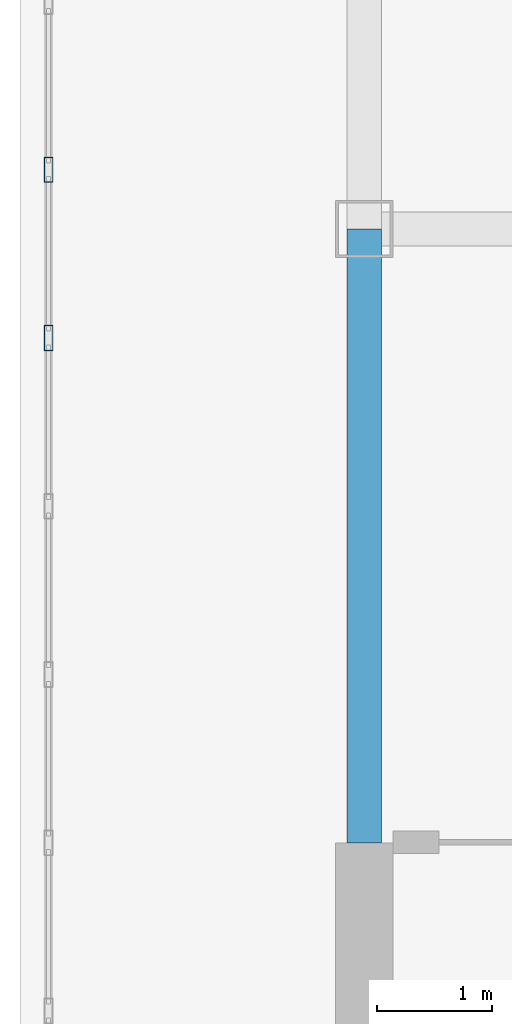
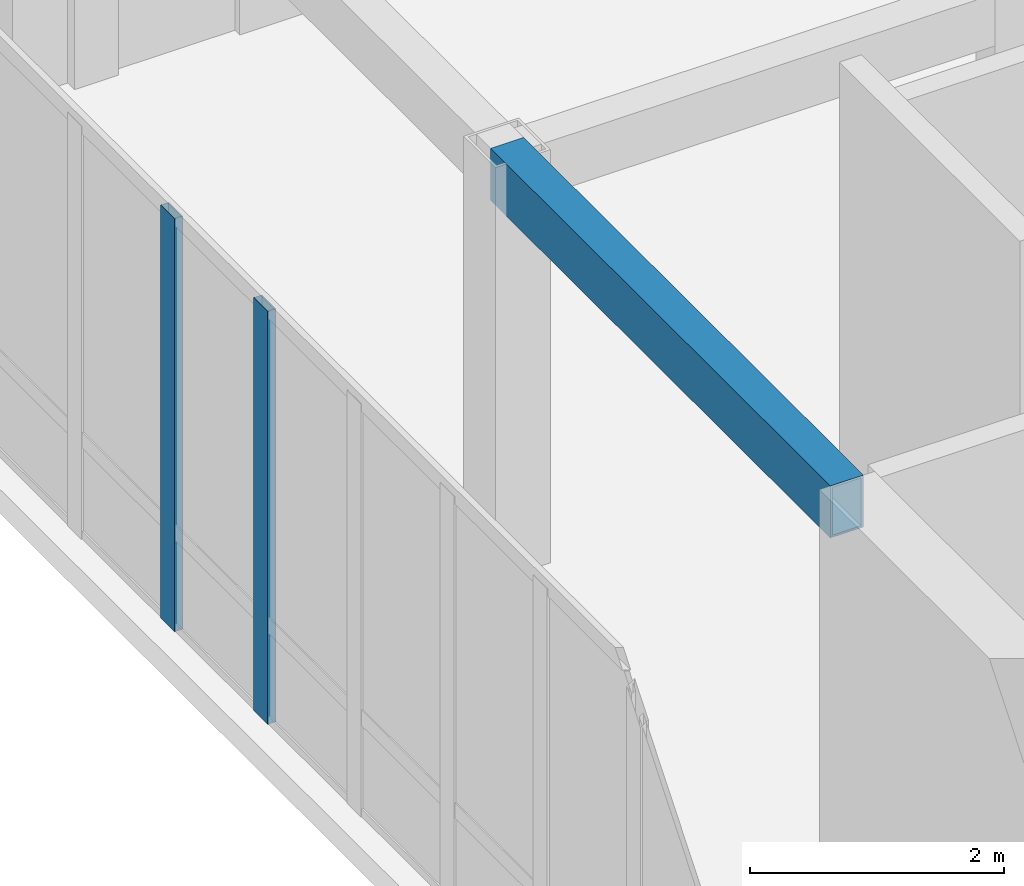
# One storey, part 4 of 13: 2 members, 1 beam, 1 element without a shape of its own.
"""IFC4 building model written with IfcOpenShell, lengths in metres."""

from ifc_helpers import new_model, si_unit, direction, frame, origin, origin_2d, place, context, subcontext, project, spatial, hollow_rectangle, extrude, source, transform, mapped, material, layer, layer_set, material_profile, profile_set, type_object, element, aggregate, save


model = new_model("IFC4")

# Units and contexts
model_context = context("Model", 3, precision=1e-05, world=origin(), true_north=direction((0.0, 1.0)))
body_context = subcontext(model_context, "Body", "Model", "MODEL_VIEW")
ifc_project = project(units=[si_unit("LENGTHUNIT", "METRE"), si_unit("AREAUNIT", "SQUARE_METRE"), si_unit("VOLUMEUNIT", "CUBIC_METRE"), si_unit("PLANEANGLEUNIT", "RADIAN"), si_unit("MASSUNIT", "GRAM", prefix="KILO")], contexts=[model_context])

# Site, building, storey
site_placement = place(None, origin())
site = spatial("IfcSite", under=ifc_project, at=site_placement, CompositionType="ELEMENT")
building_placement = place(site_placement, origin())
building = spatial("IfcBuilding", under=site, at=building_placement, Name="Kharzan Plaza Tower", CompositionType="ELEMENT")
storey_placement = place(building_placement, frame((0.0, 0.0, 277.199951171875)))
storey = spatial("IfcBuildingStorey", under=building, at=storey_placement, Name="L75-CROWN", CompositionType="ELEMENT", Elevation=277.199951171875)

# Beam
ifc_material_1 = material(Name="Steel S355", Category="steel")
ifc_material_profile_1 = material_profile(ifc_material_1, hollow_rectangle(XDim=0.300048828125, YDim=0.5, WallThickness=0.02001953125, at=origin_2d()), Name="RHS500x300x20")
ifc_profile_set_1 = profile_set([ifc_material_profile_1], Name="Steel S355")
beam_type = type_object("IfcBeamType", Name="BM-CRN500", PredefinedType="BEAM", material=ifc_profile_set_1)
shared_shape_1 = source(origin(), body_context, "Body", "SweptSolid", [
    extrude(hollow_rectangle(XDim=0.300048828125, YDim=0.5, WallThickness=0.02001953125, at=origin_2d()), origin(), (0.0, 0.0, 1.0), 5.35009765625),
])
beam_placement = place(storey_placement, frame((4.5, 12.64990234375, 3.719970703125), z_axis=(0.0, 1.0, 0.0), x_axis=(-1.0, 0.0, 0.0)))
element("IfcBeam", 1, at=beam_placement, inside=storey, type_object=beam_type, Name="L75-CROWN CROWN FRAME Lantern Ring Beam CRB-W1", PredefinedType="BEAM", context=body_context, shape_type="MappedRepresentation", body=[
    mapped(shared_shape_1, transform((0.0, 0.0, 0.0), x_axis=(1.0, 0.0, 0.0), y_axis=(0.0, 1.0, 0.0), z_axis=(0.0, 0.0, 1.0))),
])

# Curtain wall, members
ifc_material_2 = material(Name="Unitised Bronze-Anodized Aluminium and Low-E Glass", Category="aluminium")
ifc_layer = layer(ifc_material_2, 0.199951171875)
ifc_layer_set = layer_set([ifc_layer], Name="Unitised Bronze-Anodized Aluminium and Low-E Glass")
curtain_wall_type = type_object("IfcCurtainWallType", Name="CW-LANTERN-6", PredefinedType="NOTDEFINED", material=ifc_layer_set)
curtain_wall_placement = place(storey_placement, origin())
curtain_wall = element("IfcCurtainWall", 2, at=curtain_wall_placement, inside=storey, type_object=curtain_wall_type, Name="L75-CROWN Lantern Crown Illuminated Curtain Wall 4", PredefinedType="NOTDEFINED")
ifc_material_3 = material(Name="Anodized Bronze Aluminium", Category="aluminium")
ifc_material_profile_2 = material_profile(ifc_material_3, hollow_rectangle(XDim=0.074951171875, YDim=0.219970703125, WallThickness=0.00390625, at=origin_2d()), Name="ALU-M220x75x4")
ifc_profile_set_2 = profile_set([ifc_material_profile_2], Name="Anodized Bronze Aluminium")
member_type = type_object("IfcMemberType", Name="MEM-CW-MUL200", PredefinedType="MULLION", material=ifc_profile_set_2)
shared_shape_2 = source(origin(), body_context, "Body", "SweptSolid", [
    extrude(hollow_rectangle(XDim=0.074951171875, YDim=0.219970703125, WallThickness=0.00390625, at=origin_2d()), origin(), (0.0, 0.0, 1.0), 3.969970703125),
])
member_1_placement = place(storey_placement, frame((1.75, 18.5166015625, 0.0), z_axis=(0.0, 0.0, 1.0), x_axis=(1.0, 0.0, 0.0)))
member_1 = element("IfcMember", 3, at=member_1_placement, type_object=member_type, Name="L75-CROWN Curtain-Wall Mullion 11", PredefinedType="MULLION", context=body_context, shape_type="MappedRepresentation", body=[
    mapped(shared_shape_2, transform((0.0, 0.0, 0.0), x_axis=(1.0, 0.0, 0.0), y_axis=(0.0, 1.0, 0.0), z_axis=(0.0, 0.0, 1.0))),
])
member_2_placement = place(storey_placement, frame((1.75, 17.050048828125, 0.0), z_axis=(0.0, 0.0, 1.0), x_axis=(1.0, 0.0, 0.0)))
member_2 = element("IfcMember", 4, at=member_2_placement, type_object=member_type, Name="L75-CROWN Curtain-Wall Mullion 12", PredefinedType="MULLION", context=body_context, shape_type="MappedRepresentation", body=[
    mapped(shared_shape_2, transform((0.0, 0.0, 0.0), x_axis=(1.0, 0.0, 0.0), y_axis=(0.0, 1.0, 0.0), z_axis=(0.0, 0.0, 1.0))),
])
aggregate(curtain_wall, [member_1, member_2])

save(model, "model.ifc")
